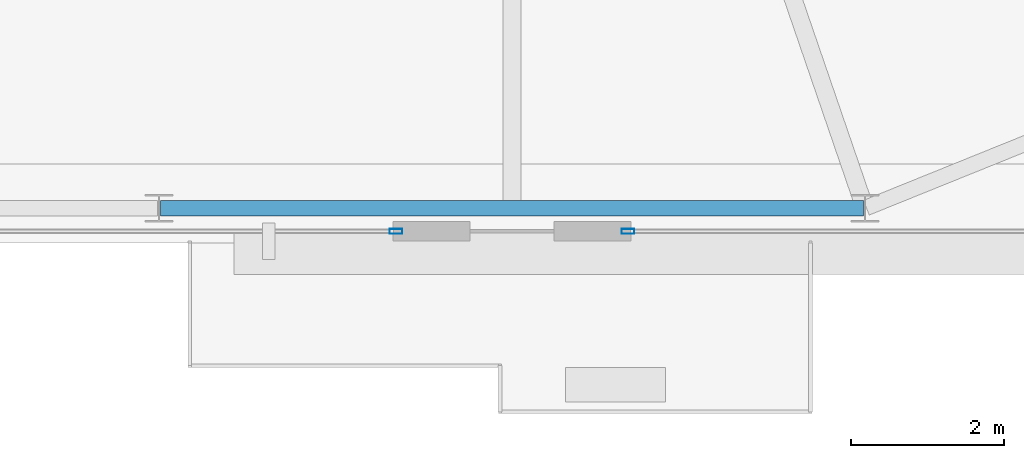
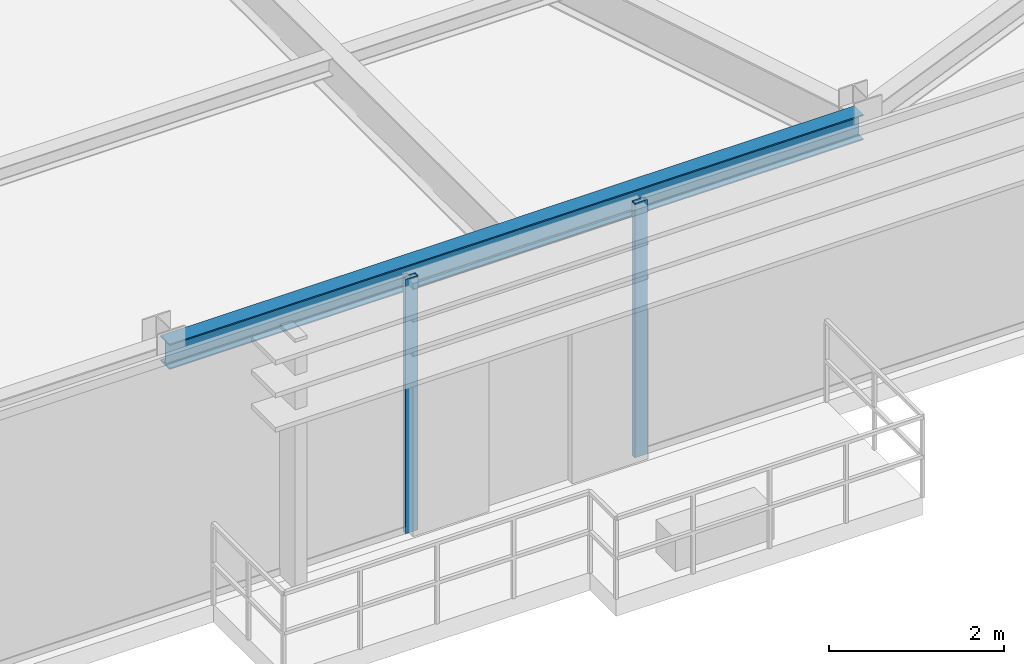
# One storey, part 12 of 30: 2 members, 1 beam, 2 elements without a shape of their own.
"""IFC4 building model written with IfcOpenShell, lengths in metres."""

from ifc_helpers import new_model, si_unit, direction, frame, origin, origin_2d, place, context, subcontext, project, spatial, hollow_rectangle, i_section, extrude, source, transform, mapped, material, layer, layer_set, material_profile, profile_set, type_object, type_shapes, element, aggregate, save


model = new_model("IFC4")

# Units and contexts
model_context = context("Model", 3, precision=1e-05, world=origin(), true_north=direction((0.0, 1.0)))
body_context = subcontext(model_context, "Body", "Model", "MODEL_VIEW")
ifc_project = project(units=[si_unit("LENGTHUNIT", "METRE"), si_unit("AREAUNIT", "SQUARE_METRE"), si_unit("VOLUMEUNIT", "CUBIC_METRE"), si_unit("PLANEANGLEUNIT", "RADIAN"), si_unit("MASSUNIT", "GRAM", prefix="KILO")], contexts=[model_context])

# Site, building, storey
site_placement = place(None, origin())
site = spatial("IfcSite", under=ifc_project, at=site_placement, CompositionType="ELEMENT")
building_placement = place(site_placement, origin())
building = spatial("IfcBuilding", under=site, at=building_placement, Name="Varnel Quay Broadcast Tower", CompositionType="ELEMENT")
storey_placement = place(building_placement, frame((0.0, 0.0, 222.60009765625)))
storey = spatial("IfcBuildingStorey", under=building, at=storey_placement, Name="L55", CompositionType="ELEMENT", Elevation=222.60009765625)

# Beam
ifc_material_1 = material(Name="Structural Steel CSA G40.21 350W", Category="steel")
ifc_material_profile_1 = material_profile(ifc_material_1, i_section(OverallWidth=0.205078125, OverallDepth=0.35400390625, WebThickness=0.009521484375, FlangeThickness=0.016845703125, FilletRadius=0.012939453125, at=origin_2d()), Name="W360X79")
ifc_profile_set_1 = profile_set([ifc_material_profile_1], Name="Structural Steel CSA G40.21 350W")
beam_type = type_object("IfcBeamType", Name="Beam_W360X79", PredefinedType="SPANDREL", material=ifc_profile_set_1)
shared_shape_1 = source(origin(), body_context, "Body", "SweptSolid", [
    extrude(i_section(OverallWidth=0.205078125, OverallDepth=0.35400390625, WebThickness=0.009521484375, FlangeThickness=0.016845703125, FilletRadius=0.012939453125, at=origin_2d()), origin(), (0.0, 0.0, 1.0), 9.159912109375),
])
type_shapes(beam_type, [shared_shape_1])
beam_placement = place(storey_placement, frame((38.6201171875, 10.64990234375, 3.372802734375), z_axis=(1.0, 0.0, 0.0), x_axis=(0.0, 1.0, 0.0)))
element("IfcBeam", 1, at=beam_placement, inside=storey, type_object=beam_type, Name="L55 South Spandrel TC-S3-TC-S4", PredefinedType="SPANDREL", context=body_context, shape_type="MappedRepresentation", body=[
    mapped(shared_shape_1, transform((0.0, 0.0, 0.0), x_axis=(1.0, 0.0, 0.0), y_axis=(0.0, 1.0, 0.0), z_axis=(0.0, 0.0, 1.0), scale=1.0)),
])

# Curtain wall, member
ifc_material_2 = material(Name="Anodised Bronze Aluminium 6063-T6", Category="aluminium")
ifc_layer = layer(ifc_material_2, 0.18994140625, Name="Anodised Bronze Aluminium 6063-T6")
ifc_layer_set = layer_set([ifc_layer], Name="Anodised Bronze Aluminium 6063-T6")
curtain_wall_type = type_object("IfcCurtainWallType", Name="CW_UpperTower", PredefinedType="NOTDEFINED", material=ifc_layer_set)
curtain_wall_1_placement = place(storey_placement, origin())
curtain_wall_1 = element("IfcCurtainWall", 2, at=curtain_wall_1_placement, inside=storey, type_object=curtain_wall_type, Name="L55 South Unitised Curtain Wall 2", PredefinedType="NOTDEFINED")
ifc_material_profile_2 = material_profile(ifc_material_2, hollow_rectangle(XDim=0.06494140625, YDim=0.1650390625, WallThickness=0.00341796875, at=origin_2d()), Name="ALU65X165X3.5")
ifc_profile_set_2 = profile_set([ifc_material_profile_2], Name="Anodised Bronze Aluminium 6063-T6")
member_type = type_object("IfcMemberType", Name="Mull_CWS-03", PredefinedType="MULLION", material=ifc_profile_set_2)
shared_shape_2 = source(origin(), body_context, "Body", "SweptSolid", [
    extrude(hollow_rectangle(XDim=0.06494140625, YDim=0.1650390625, WallThickness=0.00341796875, at=origin_2d()), origin(), (0.0, 0.0, 1.0), 3.5498046875),
])
type_shapes(member_type, [shared_shape_2])
member_1_placement = place(storey_placement, frame((41.6875, 10.35009765625, 0.0), z_axis=(0.0, 0.0, 1.0), x_axis=(0.0, 1.0, 0.0)))
member_1 = element("IfcMember", 3, at=member_1_placement, type_object=member_type, Name="CWS-03 mullion 2", PredefinedType="MULLION", context=body_context, shape_type="MappedRepresentation", body=[
    mapped(shared_shape_2, transform((0.0, 0.0, 0.0), x_axis=(1.0, 0.0, 0.0), y_axis=(0.0, 1.0, 0.0), z_axis=(0.0, 0.0, 1.0), scale=1.0)),
])
aggregate(curtain_wall_1, [member_1])

curtain_wall_2_placement = place(storey_placement, origin())
curtain_wall_2 = element("IfcCurtainWall", 4, at=curtain_wall_2_placement, inside=storey, type_object=curtain_wall_type, Name="L55 South Unitised Curtain Wall 3", PredefinedType="NOTDEFINED")
member_2_placement = place(storey_placement, frame((44.71240234375, 10.35009765625, 0.0), z_axis=(0.0, 0.0, 1.0), x_axis=(0.0, 1.0, 0.0)))
member_2 = element("IfcMember", 5, at=member_2_placement, type_object=member_type, Name="CWS-03 mullion 1", PredefinedType="MULLION", context=body_context, shape_type="MappedRepresentation", body=[
    mapped(shared_shape_2, transform((0.0, 0.0, 0.0), x_axis=(1.0, 0.0, 0.0), y_axis=(0.0, 1.0, 0.0), z_axis=(0.0, 0.0, 1.0), scale=1.0)),
])
aggregate(curtain_wall_2, [member_2])

save(model, "model.ifc")
